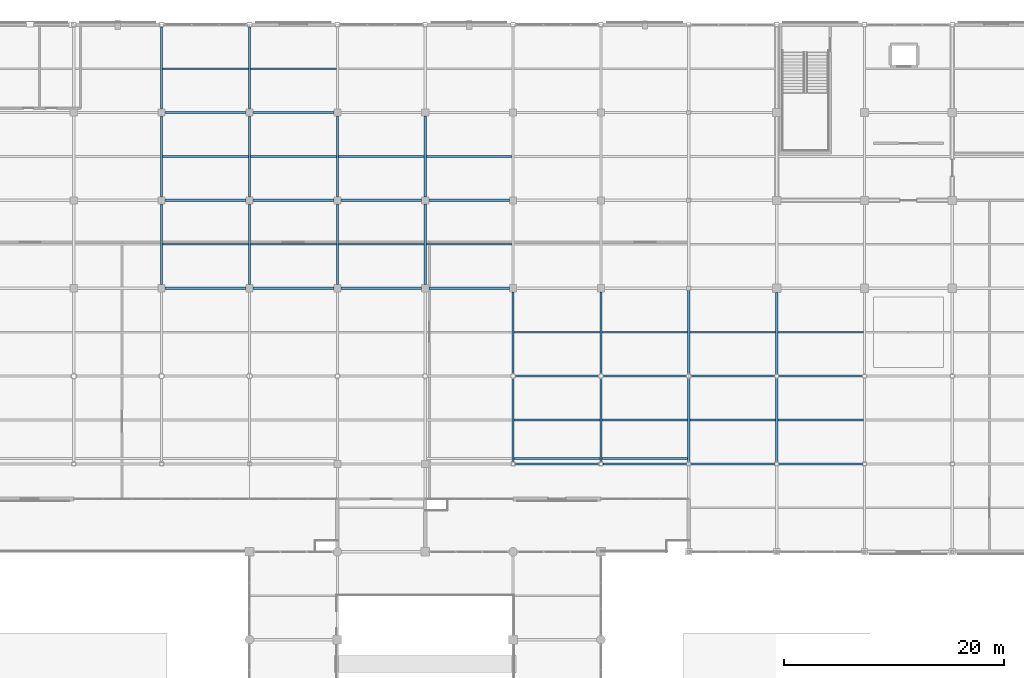
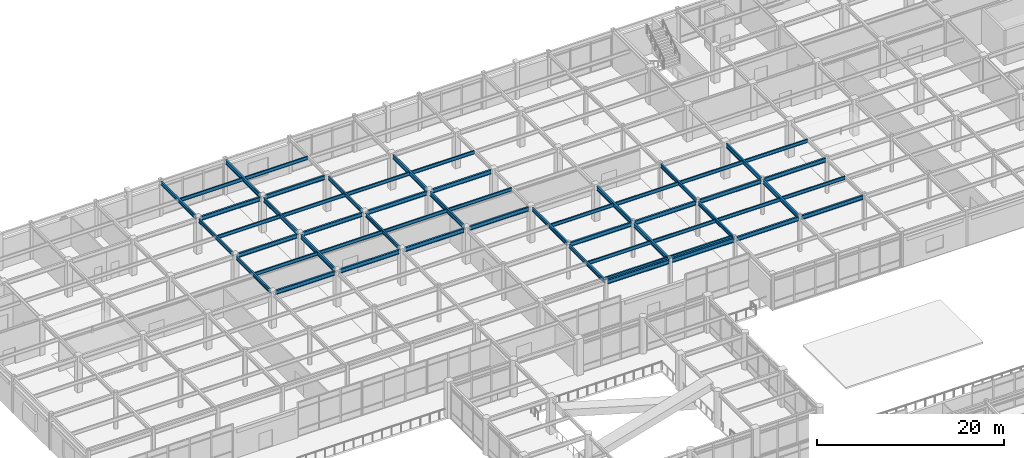
# One storey, part 60 of 117: 56 beams.
"""IFC4 building model written with IfcOpenShell, lengths in metres."""

from ifc_helpers import new_model, si_unit, direction, frame, origin, origin_2d, place, context, subcontext, project, spatial, i_section, extrude, material, material_profile, profile_set, type_object, element, save


model = new_model("IFC4")

# Units and contexts
model_context = context("Model", 3, precision=1e-05, world=origin(), true_north=direction((0.0, 1.0)))
body_context = subcontext(model_context, "Body", "Model", "MODEL_VIEW")
ifc_project = project(units=[si_unit("LENGTHUNIT", "METRE"), si_unit("AREAUNIT", "SQUARE_METRE"), si_unit("VOLUMEUNIT", "CUBIC_METRE"), si_unit("PLANEANGLEUNIT", "RADIAN"), si_unit("MASSUNIT", "GRAM", prefix="KILO")], contexts=[model_context])

# Site, building, storey
site_placement = place(None, origin())
site = spatial("IfcSite", under=ifc_project, at=site_placement, CompositionType="ELEMENT")
building_placement = place(site_placement, origin())
building = spatial("IfcBuilding", under=site, at=building_placement, Name="Solmirada Galleria", CompositionType="ELEMENT")
storey_placement = place(building_placement, frame((0.0, 0.0, 5.60009765625)))
storey = spatial("IfcBuildingStorey", under=building, at=storey_placement, Name="L01", CompositionType="ELEMENT", Elevation=5.60009765625)

# Beams
ifc_material = material(Name="Steel S355 / ASTM A992 Grade 50", Category="steel")
ifc_material_profile_1 = material_profile(ifc_material, i_section(OverallWidth=0.194091796875, OverallDepth=0.468994140625, WebThickness=0.0126953125, FlangeThickness=0.0205078125, FilletRadius=0.013916015625, at=origin_2d()), Name="W18X71")
ifc_profile_set_1 = profile_set([ifc_material_profile_1], Name="Steel S355 / ASTM A992 Grade 50")
beam_type_1 = type_object("IfcBeamType", Name="BM-GIRD-W18B", PredefinedType="BEAM", material=ifc_profile_set_1)
for number, where, z_axis, x_axis, name in (
    (1, (72.0, 96.324951171875, 4.365478515625), (0.0, 1.0, 0.0), (-1.0, 0.0, 0.0), "Primary girder L02 Y(72, 96..104)"),
    (2, (72.0, 104.324951171875, 4.365478515625), (0.0, 1.0, 0.0), (-1.0, 0.0, 0.0), "Primary girder L02 Y(72, 104..112)"),
):
    element("IfcBeam", number, at=place(storey_placement, frame(where, z_axis=z_axis, x_axis=x_axis)), inside=storey, type_object=beam_type_1, Name=name, PredefinedType="BEAM", context=body_context, shape_type="SweptSolid", body=[
        extrude(i_section(OverallWidth=0.194091796875, OverallDepth=0.468994140625, WebThickness=0.0126953125, FlangeThickness=0.0205078125, FilletRadius=0.013916015625, at=origin_2d()), origin(), (0.0, 0.0, 1.0), 7.35009765625),
    ])
beam_1_placement = place(storey_placement, frame((72.0, 112.324951171875, 4.365478515625), z_axis=(0.0, 1.0, 0.0), x_axis=(-1.0, 0.0, 0.0)))
element("IfcBeam", 3, at=beam_1_placement, inside=storey, type_object=beam_type_1, Name="Primary girder L02 Y(72, 112..120)", PredefinedType="BEAM", context=body_context, shape_type="SweptSolid", body=[
    extrude(i_section(OverallWidth=0.194091796875, OverallDepth=0.468994140625, WebThickness=0.0126953125, FlangeThickness=0.0205078125, FilletRadius=0.013916015625, at=origin_2d()), origin(), (0.0, 0.0, 1.0), 7.47216796875),
])
for number, where, z_axis, x_axis, name in (
    (4, (88.0, 96.324951171875, 4.365478515625), (0.0, 1.0, 0.0), (-1.0, 0.0, 0.0), "Primary girder L02 Y(88, 96..104)"),
    (5, (88.0, 104.324951171875, 4.365478515625), (0.0, 1.0, 0.0), (-1.0, 0.0, 0.0), "Primary girder L02 Y(88, 104..112)"),
):
    element("IfcBeam", number, at=place(storey_placement, frame(where, z_axis=z_axis, x_axis=x_axis)), inside=storey, type_object=beam_type_1, Name=name, PredefinedType="BEAM", context=body_context, shape_type="SweptSolid", body=[
        extrude(i_section(OverallWidth=0.194091796875, OverallDepth=0.468994140625, WebThickness=0.0126953125, FlangeThickness=0.0205078125, FilletRadius=0.013916015625, at=origin_2d()), origin(), (0.0, 0.0, 1.0), 7.35009765625),
    ])
beam_2_placement = place(storey_placement, frame((104.0, 80.177978515625, 4.325439453125), z_axis=(0.0, 1.0, 0.0), x_axis=(-1.0, 0.0, 0.0)))
element("IfcBeam", 6, at=beam_2_placement, inside=storey, type_object=beam_type_1, Name="Primary girder L02 Y(104, 80..88)", PredefinedType="BEAM", context=body_context, shape_type="SweptSolid", body=[
    extrude(i_section(OverallWidth=0.194091796875, OverallDepth=0.468994140625, WebThickness=0.0126953125, FlangeThickness=0.0205078125, FilletRadius=0.013916015625, at=origin_2d()), origin(), (0.0, 0.0, 1.0), 7.630126953125),
])
beam_3_placement = place(storey_placement, frame((104.0, 88.19189453125, 4.365478515625), z_axis=(0.0, 1.0, 0.0), x_axis=(-1.0, 0.0, 0.0)))
element("IfcBeam", 7, at=beam_3_placement, inside=storey, type_object=beam_type_1, Name="Primary girder L02 Y(104, 88..96)", PredefinedType="BEAM", context=body_context, shape_type="SweptSolid", body=[
    extrude(i_section(OverallWidth=0.194091796875, OverallDepth=0.468994140625, WebThickness=0.0126953125, FlangeThickness=0.0205078125, FilletRadius=0.013916015625, at=origin_2d()), origin(), (0.0, 0.0, 1.0), 7.483154296875),
])
for number, where, z_axis, x_axis, name in (
    (8, (120.0, 80.177978515625, 4.325439453125), (0.0, 1.0, 0.0), (-1.0, 0.0, 0.0), "Primary girder L02 Y(120, 80..88)"),
    (9, (120.0, 88.19189453125, 4.365478515625), (0.0, 1.0, 0.0), (-1.0, 0.0, 0.0), "Primary girder L02 Y(120, 88..96)"),
):
    element("IfcBeam", number, at=place(storey_placement, frame(where, z_axis=z_axis, x_axis=x_axis)), inside=storey, type_object=beam_type_1, Name=name, PredefinedType="BEAM", context=body_context, shape_type="SweptSolid", body=[
        extrude(i_section(OverallWidth=0.194091796875, OverallDepth=0.468994140625, WebThickness=0.0126953125, FlangeThickness=0.0205078125, FilletRadius=0.013916015625, at=origin_2d()), origin(), (0.0, 0.0, 1.0), 7.630126953125),
    ])
ifc_material_profile_2 = material_profile(ifc_material, i_section(OverallWidth=0.214111328125, OverallDepth=0.549072265625, WebThickness=0.0146484375, FlangeThickness=0.023681640625, FilletRadius=0.014892578125, at=origin_2d()), Name="W21X93")
ifc_profile_set_2 = profile_set([ifc_material_profile_2], Name="Steel S355 / ASTM A992 Grade 50")
beam_type_2 = type_object("IfcBeamType", Name="BM-GIRD-W21A", PredefinedType="BEAM", material=ifc_profile_set_2)
for number, where, z_axis, x_axis, name in (
    (10, (72.324951171875, 96.0, 4.325439453125), (1.0, 0.0, 0.0), (0.0, 1.0, 0.0), "Primary beam L02 X(72..80, 96)"),
    (11, (72.324951171875, 112.0, 4.325439453125), (1.0, 0.0, 0.0), (0.0, 1.0, 0.0), "Primary beam L02 X(72..80, 112)"),
    (12, (80.324951171875, 96.0, 4.325439453125), (1.0, 0.0, 0.0), (0.0, 1.0, 0.0), "Primary beam L02 X(80..88, 96)"),
    (13, (80.324951171875, 112.0, 4.325439453125), (1.0, 0.0, 0.0), (0.0, 1.0, 0.0), "Primary beam L02 X(80..88, 112)"),
    (14, (88.324951171875, 96.0, 4.325439453125), (1.0, 0.0, 0.0), (0.0, 1.0, 0.0), "Primary beam L02 X(88..96, 96)"),
    (15, (96.324951171875, 96.0, 4.325439453125), (1.0, 0.0, 0.0), (0.0, 1.0, 0.0), "Primary beam L02 X(96..104, 96)"),
):
    element("IfcBeam", number, at=place(storey_placement, frame(where, z_axis=z_axis, x_axis=x_axis)), inside=storey, type_object=beam_type_2, Name=name, PredefinedType="BEAM", context=body_context, shape_type="SweptSolid", body=[
        extrude(i_section(OverallWidth=0.214111328125, OverallDepth=0.549072265625, WebThickness=0.0146484375, FlangeThickness=0.023681640625, FilletRadius=0.014892578125, at=origin_2d()), origin(), (0.0, 0.0, 1.0), 7.35009765625),
    ])
for number, where, z_axis, x_axis, name in (
    (16, (104.177978515625, 80.0, 4.285400390625), (1.0, 0.0, 0.0), (0.0, 1.0, 0.0), "Primary beam L02 X(104..112, 80)"),
    (17, (112.177978515625, 80.0, 4.285400390625), (1.0, 0.0, 0.0), (0.0, 1.0, 0.0), "Primary beam L02 X(112..120, 80)"),
    (18, (120.177978515625, 80.0, 4.285400390625), (1.0, 0.0, 0.0), (0.0, 1.0, 0.0), "Primary beam L02 X(120..128, 80)"),
    (19, (128.177978515625, 80.0, 4.285400390625), (1.0, 0.0, 0.0), (0.0, 1.0, 0.0), "Primary beam L02 X(128..136, 80)"),
):
    element("IfcBeam", number, at=place(storey_placement, frame(where, z_axis=z_axis, x_axis=x_axis)), inside=storey, type_object=beam_type_2, Name=name, PredefinedType="BEAM", context=body_context, shape_type="SweptSolid", body=[
        extrude(i_section(OverallWidth=0.214111328125, OverallDepth=0.549072265625, WebThickness=0.0146484375, FlangeThickness=0.023681640625, FilletRadius=0.014892578125, at=origin_2d()), origin(), (0.0, 0.0, 1.0), 7.64404296875),
    ])
ifc_material_profile_3 = material_profile(ifc_material, i_section(OverallWidth=0.2099609375, OverallDepth=0.537109375, WebThickness=0.010986328125, FlangeThickness=0.017333984375, FilletRadius=0.014892578125, at=origin_2d()), Name="W21X68")
ifc_profile_set_3 = profile_set([ifc_material_profile_3], Name="Steel S355 / ASTM A992 Grade 50")
beam_type_3 = type_object("IfcBeamType", Name="BM-GIRD-W21B", PredefinedType="BEAM", material=ifc_profile_set_3)
for number, where, z_axis, x_axis, name in (
    (20, (72.324951171875, 104.0, 4.331298828125), (1.0, 0.0, 0.0), (0.0, 1.0, 0.0), "Primary beam L02 X(72..80, 104)"),
    (21, (80.324951171875, 104.0, 4.331298828125), (1.0, 0.0, 0.0), (0.0, 1.0, 0.0), "Primary beam L02 X(80..88, 104)"),
    (22, (88.324951171875, 104.0, 4.331298828125), (1.0, 0.0, 0.0), (0.0, 1.0, 0.0), "Primary beam L02 X(88..96, 104)"),
    (23, (96.324951171875, 104.0, 4.331298828125), (1.0, 0.0, 0.0), (0.0, 1.0, 0.0), "Primary beam L02 X(96..104, 104)"),
):
    element("IfcBeam", number, at=place(storey_placement, frame(where, z_axis=z_axis, x_axis=x_axis)), inside=storey, type_object=beam_type_3, Name=name, PredefinedType="BEAM", context=body_context, shape_type="SweptSolid", body=[
        extrude(i_section(OverallWidth=0.2099609375, OverallDepth=0.537109375, WebThickness=0.010986328125, FlangeThickness=0.017333984375, FilletRadius=0.014892578125, at=origin_2d()), origin(), (0.0, 0.0, 1.0), 7.35009765625),
    ])
for number, where, z_axis, x_axis, name in (
    (24, (104.19189453125, 88.0, 4.331298828125), (1.0, 0.0, 0.0), (0.0, 1.0, 0.0), "Primary beam L02 X(104..112, 88)"),
    (25, (112.19189453125, 88.0, 4.331298828125), (1.0, 0.0, 0.0), (0.0, 1.0, 0.0), "Primary beam L02 X(112..120, 88)"),
):
    element("IfcBeam", number, at=place(storey_placement, frame(where, z_axis=z_axis, x_axis=x_axis)), inside=storey, type_object=beam_type_3, Name=name, PredefinedType="BEAM", context=body_context, shape_type="SweptSolid", body=[
        extrude(i_section(OverallWidth=0.2099609375, OverallDepth=0.537109375, WebThickness=0.010986328125, FlangeThickness=0.017333984375, FilletRadius=0.014892578125, at=origin_2d()), origin(), (0.0, 0.0, 1.0), 7.6162109375),
    ])
beam_4_placement = place(storey_placement, frame((120.19189453125, 88.0, 4.331298828125), z_axis=(1.0, 0.0, 0.0), x_axis=(0.0, 1.0, 0.0)))
element("IfcBeam", 26, at=beam_4_placement, inside=storey, type_object=beam_type_3, Name="Primary beam L02 X(120..128, 88)", PredefinedType="BEAM", context=body_context, shape_type="SweptSolid", body=[
    extrude(i_section(OverallWidth=0.2099609375, OverallDepth=0.537109375, WebThickness=0.010986328125, FlangeThickness=0.017333984375, FilletRadius=0.014892578125, at=origin_2d()), origin(), (0.0, 0.0, 1.0), 7.6376953125),
])
beam_5_placement = place(storey_placement, frame((128.17041015625, 88.0, 4.331298828125), z_axis=(1.0, 0.0, 0.0), x_axis=(0.0, 1.0, 0.0)))
element("IfcBeam", 27, at=beam_5_placement, inside=storey, type_object=beam_type_3, Name="Primary beam L02 X(128..136, 88)", PredefinedType="BEAM", context=body_context, shape_type="SweptSolid", body=[
    extrude(i_section(OverallWidth=0.2099609375, OverallDepth=0.537109375, WebThickness=0.010986328125, FlangeThickness=0.017333984375, FilletRadius=0.014892578125, at=origin_2d()), origin(), (0.0, 0.0, 1.0), 7.6591796875),
])
for number, where, z_axis, x_axis, name in (
    (28, (80.0, 96.324951171875, 4.331298828125), (0.0, 1.0, 0.0), (-1.0, 0.0, 0.0), "Primary girder L02 Y(80, 96..104)"),
    (29, (80.0, 104.324951171875, 4.331298828125), (0.0, 1.0, 0.0), (-1.0, 0.0, 0.0), "Primary girder L02 Y(80, 104..112)"),
):
    element("IfcBeam", number, at=place(storey_placement, frame(where, z_axis=z_axis, x_axis=x_axis)), inside=storey, type_object=beam_type_3, Name=name, PredefinedType="BEAM", context=body_context, shape_type="SweptSolid", body=[
        extrude(i_section(OverallWidth=0.2099609375, OverallDepth=0.537109375, WebThickness=0.010986328125, FlangeThickness=0.017333984375, FilletRadius=0.014892578125, at=origin_2d()), origin(), (0.0, 0.0, 1.0), 7.35009765625),
    ])
beam_6_placement = place(storey_placement, frame((80.0, 112.324951171875, 4.331298828125), z_axis=(0.0, 1.0, 0.0), x_axis=(-1.0, 0.0, 0.0)))
element("IfcBeam", 30, at=beam_6_placement, inside=storey, type_object=beam_type_3, Name="Primary girder L02 Y(80, 112..120)", PredefinedType="BEAM", context=body_context, shape_type="SweptSolid", body=[
    extrude(i_section(OverallWidth=0.2099609375, OverallDepth=0.537109375, WebThickness=0.010986328125, FlangeThickness=0.017333984375, FilletRadius=0.014892578125, at=origin_2d()), origin(), (0.0, 0.0, 1.0), 7.47216796875),
])
for number, where, z_axis, x_axis, name in (
    (31, (96.0, 96.324951171875, 4.331298828125), (0.0, 1.0, 0.0), (-1.0, 0.0, 0.0), "Primary girder L02 Y(96, 96..104)"),
    (32, (96.0, 104.324951171875, 4.331298828125), (0.0, 1.0, 0.0), (-1.0, 0.0, 0.0), "Primary girder L02 Y(96, 104..112)"),
):
    element("IfcBeam", number, at=place(storey_placement, frame(where, z_axis=z_axis, x_axis=x_axis)), inside=storey, type_object=beam_type_3, Name=name, PredefinedType="BEAM", context=body_context, shape_type="SweptSolid", body=[
        extrude(i_section(OverallWidth=0.2099609375, OverallDepth=0.537109375, WebThickness=0.010986328125, FlangeThickness=0.017333984375, FilletRadius=0.014892578125, at=origin_2d()), origin(), (0.0, 0.0, 1.0), 7.35009765625),
    ])
beam_7_placement = place(storey_placement, frame((112.0, 80.177978515625, 4.29150390625), z_axis=(0.0, 1.0, 0.0), x_axis=(-1.0, 0.0, 0.0)))
element("IfcBeam", 33, at=beam_7_placement, inside=storey, type_object=beam_type_3, Name="Primary girder L02 Y(112, 80..88)", PredefinedType="BEAM", context=body_context, shape_type="SweptSolid", body=[
    extrude(i_section(OverallWidth=0.2099609375, OverallDepth=0.537109375, WebThickness=0.010986328125, FlangeThickness=0.017333984375, FilletRadius=0.014892578125, at=origin_2d()), origin(), (0.0, 0.0, 1.0), 7.630126953125),
])
beam_8_placement = place(storey_placement, frame((112.0, 88.19189453125, 4.331298828125), z_axis=(0.0, 1.0, 0.0), x_axis=(-1.0, 0.0, 0.0)))
element("IfcBeam", 34, at=beam_8_placement, inside=storey, type_object=beam_type_3, Name="Primary girder L02 Y(112, 88..96)", PredefinedType="BEAM", context=body_context, shape_type="SweptSolid", body=[
    extrude(i_section(OverallWidth=0.2099609375, OverallDepth=0.537109375, WebThickness=0.010986328125, FlangeThickness=0.017333984375, FilletRadius=0.014892578125, at=origin_2d()), origin(), (0.0, 0.0, 1.0), 7.483154296875),
])
beam_9_placement = place(storey_placement, frame((128.0, 80.177978515625, 4.331298828125), z_axis=(0.0, 1.0, 0.0), x_axis=(-1.0, 0.0, 0.0)))
element("IfcBeam", 35, at=beam_9_placement, inside=storey, type_object=beam_type_3, Name="Primary girder L02 Y(128, 80..88)", PredefinedType="BEAM", context=body_context, shape_type="SweptSolid", body=[
    extrude(i_section(OverallWidth=0.2099609375, OverallDepth=0.537109375, WebThickness=0.010986328125, FlangeThickness=0.017333984375, FilletRadius=0.014892578125, at=origin_2d()), origin(), (0.0, 0.0, 1.0), 7.651611328125),
])
beam_10_placement = place(storey_placement, frame((128.0, 88.17041015625, 4.331298828125), z_axis=(0.0, 1.0, 0.0), x_axis=(-1.0, 0.0, 0.0)))
element("IfcBeam", 36, at=beam_10_placement, inside=storey, type_object=beam_type_3, Name="Primary girder L02 Y(128, 88..96)", PredefinedType="BEAM", context=body_context, shape_type="SweptSolid", body=[
    extrude(i_section(OverallWidth=0.2099609375, OverallDepth=0.537109375, WebThickness=0.010986328125, FlangeThickness=0.017333984375, FilletRadius=0.014892578125, at=origin_2d()), origin(), (0.0, 0.0, 1.0), 7.45458984375),
])
ifc_material_profile_4 = material_profile(ifc_material, i_section(OverallWidth=0.1708984375, OverallDepth=0.35205078125, WebThickness=0.0068359375, FlangeThickness=0.009765625, FilletRadius=0.010986328125, at=origin_2d()), Name="W14X30")
ifc_profile_set_4 = profile_set([ifc_material_profile_4], Name="Steel S355 / ASTM A992 Grade 50")
beam_type_4 = type_object("IfcBeamType", Name="BM-JST-W14B", PredefinedType="JOIST", material=ifc_profile_set_4)
for number, where, z_axis, x_axis, name in (
    (37, (104.096923828125, 80.5, 4.3837890625), (1.0, 0.0, 0.0), (0.0, 1.0, 0.0), "Terrace deck joist L02-TERR-NE X=104..112 (2)"),
    (38, (112.10498046875, 80.5, 4.3837890625), (1.0, 0.0, 0.0), (0.0, 1.0, 0.0), "Terrace deck joist L02-TERR-NE X=112..120 (2)"),
):
    element("IfcBeam", number, at=place(storey_placement, frame(where, z_axis=z_axis, x_axis=x_axis)), inside=storey, type_object=beam_type_4, Name=name, PredefinedType="JOIST", context=body_context, shape_type="SweptSolid", body=[
        extrude(i_section(OverallWidth=0.1708984375, OverallDepth=0.35205078125, WebThickness=0.0068359375, FlangeThickness=0.009765625, FilletRadius=0.010986328125, at=origin_2d()), origin(), (0.0, 0.0, 1.0), 7.798095703125),
    ])
ifc_material_profile_5 = material_profile(ifc_material, i_section(OverallWidth=0.152099609375, OverallDepth=0.449951171875, WebThickness=0.007568359375, FlangeThickness=0.0107421875, FilletRadius=0.011962890625, at=origin_2d()), Name="W18X35")
ifc_profile_set_5 = profile_set([ifc_material_profile_5], Name="Steel S355 / ASTM A992 Grade 50")
beam_type_5 = type_object("IfcBeamType", Name="BM-JST-W18B", PredefinedType="JOIST", material=ifc_profile_set_5)
for number, where, z_axis, x_axis, name in (
    (39, (72.096923828125, 100.0, 4.375), (1.0, 0.0, 0.0), (0.0, 1.0, 0.0), "Composite floor joist L02 (72..80, 100.0)"),
    (40, (72.096923828125, 108.0, 4.375), (1.0, 0.0, 0.0), (0.0, 1.0, 0.0), "Composite floor joist L02 (72..80, 108.0)"),
    (41, (72.096923828125, 116.0, 4.375), (1.0, 0.0, 0.0), (0.0, 1.0, 0.0), "Composite floor joist L02 (72..80, 116.0)"),
    (42, (80.10498046875, 100.0, 4.375), (1.0, 0.0, 0.0), (0.0, 1.0, 0.0), "Composite floor joist L02 (80..88, 100.0)"),
    (43, (80.10498046875, 108.0, 4.375), (1.0, 0.0, 0.0), (0.0, 1.0, 0.0), "Composite floor joist L02 (80..88, 108.0)"),
    (44, (80.10498046875, 116.0, 4.375), (1.0, 0.0, 0.0), (0.0, 1.0, 0.0), "Composite floor joist L02 (80..88, 116.0)"),
    (45, (88.096923828125, 100.0, 4.375), (1.0, 0.0, 0.0), (0.0, 1.0, 0.0), "Composite floor joist L02 (88..96, 100.0)"),
    (46, (88.096923828125, 108.0, 4.375), (1.0, 0.0, 0.0), (0.0, 1.0, 0.0), "Composite floor joist L02 (88..96, 108.0)"),
    (47, (96.10498046875, 100.0, 4.375), (1.0, 0.0, 0.0), (0.0, 1.0, 0.0), "Composite floor joist L02 (96..104, 100.0)"),
    (48, (96.10498046875, 108.0, 4.375), (1.0, 0.0, 0.0), (0.0, 1.0, 0.0), "Composite floor joist L02 (96..104, 108.0)"),
    (49, (104.096923828125, 84.0, 4.3349609375), (1.0, 0.0, 0.0), (0.0, 1.0, 0.0), "Composite floor joist L02 (104..112, 84.0)"),
    (50, (104.096923828125, 92.0, 4.375), (1.0, 0.0, 0.0), (0.0, 1.0, 0.0), "Composite floor joist L02 (104..112, 92.0)"),
    (51, (112.10498046875, 84.0, 4.3349609375), (1.0, 0.0, 0.0), (0.0, 1.0, 0.0), "Composite floor joist L02 (112..120, 84.0)"),
    (52, (112.10498046875, 92.0, 4.375), (1.0, 0.0, 0.0), (0.0, 1.0, 0.0), "Composite floor joist L02 (112..120, 92.0)"),
    (53, (120.096923828125, 84.0, 4.3349609375), (1.0, 0.0, 0.0), (0.0, 1.0, 0.0), "Composite floor joist L02 (120..128, 84.0)"),
    (54, (120.096923828125, 92.0, 4.375), (1.0, 0.0, 0.0), (0.0, 1.0, 0.0), "Composite floor joist L02 (120..128, 92.0)"),
    (55, (128.10498046875, 84.0, 4.375), (1.0, 0.0, 0.0), (0.0, 1.0, 0.0), "Composite floor joist L02 (128..136, 84.0)"),
    (56, (128.10498046875, 92.0, 4.375), (1.0, 0.0, 0.0), (0.0, 1.0, 0.0), "Composite floor joist L02 (128..136, 92.0)"),
):
    element("IfcBeam", number, at=place(storey_placement, frame(where, z_axis=z_axis, x_axis=x_axis)), inside=storey, type_object=beam_type_5, Name=name, PredefinedType="JOIST", context=body_context, shape_type="SweptSolid", body=[
        extrude(i_section(OverallWidth=0.152099609375, OverallDepth=0.449951171875, WebThickness=0.007568359375, FlangeThickness=0.0107421875, FilletRadius=0.011962890625, at=origin_2d()), origin(), (0.0, 0.0, 1.0), 7.798095703125),
    ])

save(model, "model.ifc")
